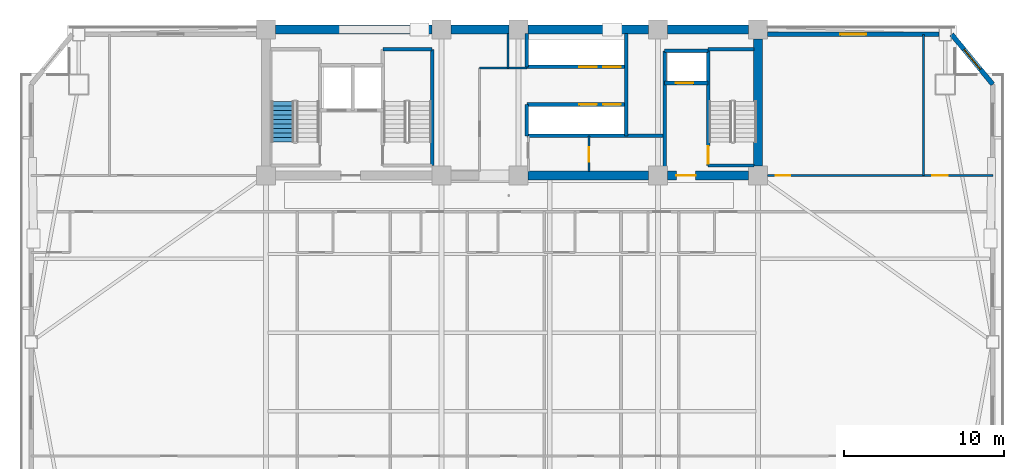
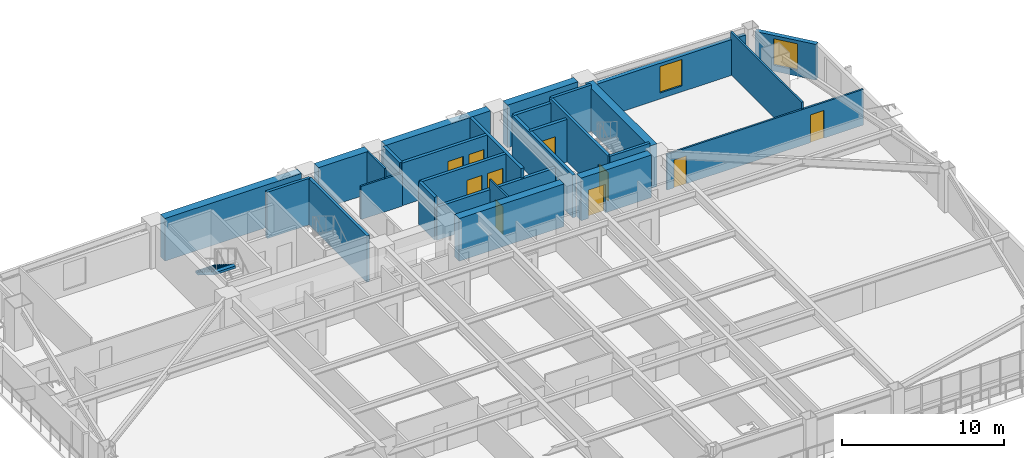
# One storey, part 10 of 17: 28 walls, 10 doors, 2 windows, 1 stair flight, 12 openings, 1 element without a shape of its own.
"""IFC4 building model written with IfcOpenShell, lengths in metres."""

from ifc_helpers import new_model, si_unit, direction, frame, frame_2d, origin, place, context, subcontext, project, spatial, polyline, rectangle, outline, extrude, source, transform, mapped, material, layer, layer_set, type_object, element, fill, aggregate, save


model = new_model("IFC4")

# Units and contexts
model_context = context("Model", 3, precision=1e-05, world=origin(), true_north=direction((0.0, 1.0)))
body_context = subcontext(model_context, "Body", "Model", "MODEL_VIEW")
ifc_project = project(units=[si_unit("LENGTHUNIT", "METRE"), si_unit("AREAUNIT", "SQUARE_METRE"), si_unit("VOLUMEUNIT", "CUBIC_METRE"), si_unit("PLANEANGLEUNIT", "RADIAN"), si_unit("MASSUNIT", "GRAM", prefix="KILO")], contexts=[model_context])

# Site, building, storey
site_placement = place(None, origin())
site = spatial("IfcSite", under=ifc_project, at=site_placement, CompositionType="ELEMENT")
building_placement = place(site_placement, origin())
building = spatial("IfcBuilding", under=site, at=building_placement, Name="Giltprow Tower", CompositionType="ELEMENT")
storey_placement = place(building_placement, frame((0.0, 0.0, 141.199951171875)))
storey = spatial("IfcBuildingStorey", under=building, at=storey_placement, Name="L34", CompositionType="ELEMENT", Elevation=141.199951171875)

# Wall, opening, window
ifc_material_1 = material(Name="Precast concrete C40", Category="concrete")
ifc_layer_1 = layer(ifc_material_1, 0.300048828125, Name="Precast concrete C40")
ifc_layer_set_1 = layer_set([ifc_layer_1], Name="Precast concrete C40")
wall_type_1 = type_object("IfcWallType", Name="EW-NOTCH-CHAMFER-300", PredefinedType="SOLIDWALL", material=ifc_layer_set_1)
wall_1_placement = place(storey_placement, frame((65.18603515625, 43.134033203125, 0.0), z_axis=(0.0, 0.0, 1.0), x_axis=(-0.63553760815, 0.772069911748, 0.0)))
wall_1 = element("IfcWall", 1, at=wall_1_placement, inside=storey, type_object=wall_type_1, Name="L34 Corner Notch Wall NE", PredefinedType="SOLIDWALL", context=body_context, shape_type="SweptSolid", body=[
    extrude(rectangle(XDim=4.035888671875, YDim=0.300048828125, at=frame_2d((2.01806640625, 0.0))), origin(), (0.0, 0.0, 1.0), 2.699951171875),
])
opening_1_placement = place(wall_1_placement, frame((1.218017578125, 0.0, 0.449951171875)))
opening_1 = element("IfcOpeningElement", 2, at=opening_1_placement, cuts=wall_1, Name="Opening WN17", PredefinedType="OPENING", context=body_context, shape_type="SweptSolid", body=[
    extrude(rectangle(XDim=1.60009765625, YDim=2.0, at=frame_2d((0.800048828125, 1.0))), frame((0.0, 0.159912109375, 0.0), z_axis=(0.0, -1.0, 0.0), x_axis=(1.0, 0.0, 0.0)), (0.0, 0.0, 1.0), 0.320068359375),
])
ifc_material_2 = material(Name="Insulated glass", Category="glass")
window_type = type_object("IfcWindowType", Name="WN-COR-1600x2000", PartitioningType="SINGLE_PANEL", PredefinedType="WINDOW", material=ifc_material_2)
shared_shape_1 = source(origin(), body_context, "Body", "SweptSolid", [
    extrude(rectangle(XDim=1.60009765625, YDim=2.0, at=frame_2d((0.800048828125, 1.0))), frame((0.0, 0.030029296875, 0.0), z_axis=(0.0, -1.0, 0.0), x_axis=(1.0, 0.0, 0.0)), (0.0, 0.0, 1.0), 0.06005859375),
])
window_1_placement = place(opening_1_placement, origin())
window_1 = element("IfcWindow", 3, at=window_1_placement, inside=storey, type_object=window_type, Name="L34 Corner Notch Window NE", OverallHeight=2.0, OverallWidth=1.60009765625, PartitioningType="SINGLE_PANEL", PredefinedType="WINDOW", context=body_context, shape_type="MappedRepresentation", body=[
    mapped(shared_shape_1, transform((0.0, 0.0, 0.0), x_axis=(1.0, 0.0, 0.0), y_axis=(0.0, 1.0, 0.0), z_axis=(0.0, 0.0, 1.0), scale=1.0)),
])
fill(opening_1, window_1)

ifc_layer_2 = layer(ifc_material_1, 0.280029296875, Name="Precast concrete C40")
ifc_layer_set_2 = layer_set([ifc_layer_2], Name="Precast concrete C40")
wall_type_2 = type_object("IfcWallType", Name="EW-TOW-BRONZE-280", PredefinedType="SOLIDWALL", material=ifc_layer_set_2)
wall_2_placement = place(storey_placement, frame((51.14990234375, 46.25, 0.0), z_axis=(0.0, 0.0, 1.0), x_axis=(1.0, 0.0, 0.0)))
wall_2 = element("IfcWall", 4, at=wall_2_placement, inside=storey, type_object=wall_type_2, Name="L34 North-East Wing Wall", PredefinedType="SOLIDWALL", context=body_context, shape_type="SweptSolid", body=[
    extrude(rectangle(XDim=10.671142578125, YDim=0.280029296875, at=frame_2d((5.33544921875, 0.0))), origin(), (0.0, 0.0, 1.0), 2.699951171875),
])
opening_2_placement = place(wall_2_placement, frame((4.534912109375, 0.0, 0.449951171875)))
opening_2 = element("IfcOpeningElement", 5, at=opening_2_placement, cuts=wall_2, Name="Opening WN17", PredefinedType="OPENING", context=body_context, shape_type="SweptSolid", body=[
    extrude(rectangle(XDim=1.60009765625, YDim=2.0, at=frame_2d((0.800048828125, 1.0))), frame((0.0, 0.14990234375, 0.0), z_axis=(0.0, -1.0, 0.0), x_axis=(1.0, 0.0, 0.0)), (0.0, 0.0, 1.0), 0.300048828125),
])
window_2_placement = place(opening_2_placement, origin())
window_2 = element("IfcWindow", 6, at=window_2_placement, inside=storey, type_object=window_type, Name="L34 North-East Window", OverallHeight=2.0, OverallWidth=1.60009765625, PartitioningType="SINGLE_PANEL", PredefinedType="WINDOW", context=body_context, shape_type="MappedRepresentation", body=[
    mapped(shared_shape_1, transform((0.0, 0.0, 0.0), x_axis=(1.0, 0.0, 0.0), y_axis=(0.0, 1.0, 0.0), z_axis=(0.0, 0.0, 1.0), scale=1.0)),
])
fill(opening_2, window_2)

# Wall, opening, door
ifc_material_3 = material(Name="Concrete C40", Category="concrete")
ifc_layer_3 = layer(ifc_material_3, 0.219970703125, Name="Concrete C40")
ifc_layer_set_3 = layer_set([ifc_layer_3], Name="Concrete C40")
wall_type_3 = type_object("IfcWallType", Name="IW-SHAFT-220", PredefinedType="SOLIDWALL", material=ifc_layer_set_3)
wall_3_placement = place(storey_placement, frame((44.719970703125, 43.219970703125, 0.0), z_axis=(0.0, 0.0, 1.0), x_axis=(1.0, 0.0, 0.0)))
wall_3 = element("IfcWall", 7, at=wall_3_placement, inside=storey, type_object=wall_type_3, Name="L34 FFL2 Front Shaft Wall", PredefinedType="SOLIDWALL", context=body_context, shape_type="SweptSolid", body=[
    extrude(rectangle(XDim=2.719970703125, YDim=0.219970703125, at=frame_2d((1.35986328125, 0.0))), origin(), (0.0, 0.0, 1.0), 3.219970703125),
])
opening_3_placement = place(wall_3_placement, frame((0.699951171875, 0.0, 0.0)))
opening_3 = element("IfcOpeningElement", 8, at=opening_3_placement, cuts=wall_3, Name="Opening LD-11", PredefinedType="OPENING", context=body_context, shape_type="SweptSolid", body=[
    extrude(rectangle(XDim=1.10009765625, YDim=2.199951171875, at=frame_2d((0.550048828125, 1.10009765625))), frame((0.0, 0.119873046875, 0.0), z_axis=(0.0, -1.0, 0.0), x_axis=(1.0, 0.0, 0.0)), (0.0, 0.0, 1.0), 0.239990234375),
])
ifc_material_4 = material(Name="Stainless steel", Category="steel")
door_type_1 = type_object("IfcDoorType", Name="DR-LIFT-LD1100", OperationType="SLIDING_TO_LEFT", PredefinedType="DOOR", material=ifc_material_4)
shared_shape_2 = source(origin(), body_context, "Body", "SweptSolid", [
    extrude(rectangle(XDim=1.10009765625, YDim=2.199951171875, at=frame_2d((0.550048828125, 1.10009765625))), frame((0.0, 0.02490234375, 0.0), z_axis=(0.0, -1.0, 0.0), x_axis=(1.0, 0.0, 0.0)), (0.0, 0.0, 1.0), 0.050048828125),
])
door_1_placement = place(opening_3_placement, origin())
door_1 = element("IfcDoor", 9, at=door_1_placement, inside=storey, type_object=door_type_1, Name="L34 FFL2 Landing Door", OperationType="SLIDING_TO_LEFT", OverallHeight=2.199951171875, OverallWidth=1.10009765625, PredefinedType="DOOR", context=body_context, shape_type="MappedRepresentation", body=[
    mapped(shared_shape_2, transform((0.0, 0.0, 0.0), x_axis=(1.0, 0.0, 0.0), y_axis=(0.0, 1.0, 0.0), z_axis=(0.0, 0.0, 1.0), scale=1.0)),
])
fill(opening_3, door_1)

# Walls
wall_4_placement = place(storey_placement, frame((44.719970703125, 45.219970703125, 0.0), z_axis=(0.0, 0.0, 1.0), x_axis=(1.0, 0.0, 0.0)))
element("IfcWall", 10, at=wall_4_placement, inside=storey, type_object=wall_type_3, Name="L34 FFL2 Back Shaft Wall", PredefinedType="SOLIDWALL", context=body_context, shape_type="SweptSolid", body=[
    extrude(rectangle(XDim=2.719970703125, YDim=0.219970703125, at=frame_2d((1.35986328125, 0.0))), origin(), (0.0, 0.0, 1.0), 3.219970703125),
])
wall_5_placement = place(storey_placement, frame((44.719970703125, 37.705078125, 0.0), z_axis=(0.0, 0.0, 1.0), x_axis=(0.0, 1.0, 0.0)))
element("IfcWall", 11, at=wall_5_placement, inside=storey, type_object=wall_type_3, Name="L34 East Firefighting Lobby West Wall", PredefinedType="SOLIDWALL", context=body_context, shape_type="SweptSolid", body=[
    extrude(rectangle(XDim=7.514892578125, YDim=0.219970703125, at=frame_2d((3.75732421875, 0.0))), origin(), (0.0, 0.0, 1.0), 3.219970703125),
])

# Wall, openings, doors
wall_6_placement = place(storey_placement, frame((36.1201171875, 44.219970703125, 0.0), z_axis=(0.0, 0.0, 1.0), x_axis=(1.0, 0.0, 0.0)))
wall_6 = element("IfcWall", 12, at=wall_6_placement, inside=storey, type_object=wall_type_3, Name="L34 Mid-Rise Lift Shaft Front Wall N", PredefinedType="SOLIDWALL", context=body_context, shape_type="SweptSolid", body=[
    extrude(rectangle(XDim=6.199951171875, YDim=0.219970703125, at=frame_2d((3.10009765625, 0.0))), origin(), (0.0, 0.0, 1.0), 3.219970703125),
])
opening_4_placement = place(wall_6_placement, frame((3.280029296875, 0.0, 0.0)))
opening_4 = element("IfcOpeningElement", 13, at=opening_4_placement, cuts=wall_6, Name="Opening LD-11", PredefinedType="OPENING", context=body_context, shape_type="SweptSolid", body=[
    extrude(rectangle(XDim=1.10009765625, YDim=2.199951171875, at=frame_2d((0.550048828125, 1.10009765625))), frame((0.0, 0.119873046875, 0.0), z_axis=(0.0, -1.0, 0.0), x_axis=(1.0, 0.0, 0.0)), (0.0, 0.0, 1.0), 0.239990234375),
])
opening_5_placement = place(wall_6_placement, frame((4.77001953125, 0.0, 0.0)))
opening_5 = element("IfcOpeningElement", 14, at=opening_5_placement, cuts=wall_6, Name="Opening LD-11", PredefinedType="OPENING", context=body_context, shape_type="SweptSolid", body=[
    extrude(rectangle(XDim=1.10009765625, YDim=2.199951171875, at=frame_2d((0.550048828125, 1.10009765625))), frame((0.0, 0.119873046875, 0.0), z_axis=(0.0, -1.0, 0.0), x_axis=(1.0, 0.0, 0.0)), (0.0, 0.0, 1.0), 0.239990234375),
])
door_2_placement = place(opening_4_placement, origin())
door_2 = element("IfcDoor", 15, at=door_2_placement, inside=storey, type_object=door_type_1, Name="L34 PL-M1 Landing Door", OperationType="SLIDING_TO_LEFT", OverallHeight=2.199951171875, OverallWidth=1.10009765625, PredefinedType="DOOR", context=body_context, shape_type="MappedRepresentation", body=[
    mapped(shared_shape_2, transform((0.0, 0.0, 0.0), x_axis=(1.0, 0.0, 0.0), y_axis=(0.0, 1.0, 0.0), z_axis=(0.0, 0.0, 1.0), scale=1.0)),
])
fill(opening_4, door_2)
door_3_placement = place(opening_5_placement, origin())
door_3 = element("IfcDoor", 16, at=door_3_placement, inside=storey, type_object=door_type_1, Name="L34 PL-M2 Landing Door", OperationType="SLIDING_TO_LEFT", OverallHeight=2.199951171875, OverallWidth=1.10009765625, PredefinedType="DOOR", context=body_context, shape_type="MappedRepresentation", body=[
    mapped(shared_shape_2, transform((0.0, 0.0, 0.0), x_axis=(1.0, 0.0, 0.0), y_axis=(0.0, 1.0, 0.0), z_axis=(0.0, 0.0, 1.0), scale=1.0)),
])
fill(opening_5, door_3)

wall_7_placement = place(storey_placement, frame((36.1201171875, 41.8798828125, 0.0), z_axis=(0.0, 0.0, 1.0), x_axis=(1.0, 0.0, 0.0)))
wall_7 = element("IfcWall", 17, at=wall_7_placement, inside=storey, type_object=wall_type_3, Name="L34 Mid-Rise Lift Shaft Front Wall S", PredefinedType="SOLIDWALL", context=body_context, shape_type="SweptSolid", body=[
    extrude(rectangle(XDim=6.199951171875, YDim=0.219970703125, at=frame_2d((3.10009765625, 0.0))), origin(), (0.0, 0.0, 1.0), 3.219970703125),
])
opening_6_placement = place(wall_7_placement, frame((3.280029296875, 0.0, 0.0)))
opening_6 = element("IfcOpeningElement", 18, at=opening_6_placement, cuts=wall_7, Name="Opening LD-11", PredefinedType="OPENING", context=body_context, shape_type="SweptSolid", body=[
    extrude(rectangle(XDim=1.10009765625, YDim=2.199951171875, at=frame_2d((0.550048828125, 1.10009765625))), frame((0.0, 0.119873046875, 0.0), z_axis=(0.0, -1.0, 0.0), x_axis=(1.0, 0.0, 0.0)), (0.0, 0.0, 1.0), 0.239990234375),
])
opening_7_placement = place(wall_7_placement, frame((4.77001953125, 0.0, 0.0)))
opening_7 = element("IfcOpeningElement", 19, at=opening_7_placement, cuts=wall_7, Name="Opening LD-11", PredefinedType="OPENING", context=body_context, shape_type="SweptSolid", body=[
    extrude(rectangle(XDim=1.10009765625, YDim=2.199951171875, at=frame_2d((0.550048828125, 1.10009765625))), frame((0.0, 0.119873046875, 0.0), z_axis=(0.0, -1.0, 0.0), x_axis=(1.0, 0.0, 0.0)), (0.0, 0.0, 1.0), 0.239990234375),
])
door_4_placement = place(opening_6_placement, origin())
door_4 = element("IfcDoor", 20, at=door_4_placement, inside=storey, type_object=door_type_1, Name="L34 PL-M3 Landing Door", OperationType="SLIDING_TO_LEFT", OverallHeight=2.199951171875, OverallWidth=1.10009765625, PredefinedType="DOOR", context=body_context, shape_type="MappedRepresentation", body=[
    mapped(shared_shape_2, transform((0.0, 0.0, 0.0), x_axis=(1.0, 0.0, 0.0), y_axis=(0.0, 1.0, 0.0), z_axis=(0.0, 0.0, 1.0), scale=1.0)),
])
fill(opening_6, door_4)
door_5_placement = place(opening_7_placement, origin())
door_5 = element("IfcDoor", 21, at=door_5_placement, inside=storey, type_object=door_type_1, Name="L34 PL-M4 Landing Door", OperationType="SLIDING_TO_LEFT", OverallHeight=2.199951171875, OverallWidth=1.10009765625, PredefinedType="DOOR", context=body_context, shape_type="MappedRepresentation", body=[
    mapped(shared_shape_2, transform((0.0, 0.0, 0.0), x_axis=(1.0, 0.0, 0.0), y_axis=(0.0, 1.0, 0.0), z_axis=(0.0, 0.0, 1.0), scale=1.0)),
])
fill(opening_7, door_5)

# Walls
wall_8_placement = place(storey_placement, frame((36.1201171875, 39.919921875, 0.0), z_axis=(0.0, 0.0, 1.0), x_axis=(1.0, 0.0, 0.0)))
element("IfcWall", 22, at=wall_8_placement, inside=storey, type_object=wall_type_3, Name="L34 Mid-Rise South Lift Back Wall", PredefinedType="SOLIDWALL", context=body_context, shape_type="SweptSolid", body=[
    extrude(rectangle(XDim=8.599853515625, YDim=0.219970703125, at=frame_2d((4.2998046875, 0.0))), origin(), (0.0, 0.0, 1.0), 2.505126953125),
])
wall_9_placement = place(storey_placement, frame((42.320068359375, 39.919921875, 0.0), z_axis=(0.0, 0.0, 1.0), x_axis=(0.0, 1.0, 0.0)))
element("IfcWall", 23, at=wall_9_placement, inside=storey, type_object=wall_type_3, Name="L34 Mid-Rise Lift Bank East Closure", PredefinedType="SOLIDWALL", context=body_context, shape_type="SweptSolid", body=[
    extrude(rectangle(XDim=6.375, YDim=0.219970703125, at=frame_2d((3.1875, 0.0))), origin(), (0.0, 0.0, 1.0), 3.219970703125),
])
wall_10_placement = place(storey_placement, frame((36.1201171875, 39.919921875, 0.0), z_axis=(0.0, 0.0, 1.0), x_axis=(0.0, 1.0, 0.0)))
element("IfcWall", 24, at=wall_10_placement, inside=storey, type_object=wall_type_3, Name="L34 Mid-Rise South Lift West Closure", PredefinedType="SOLIDWALL", context=body_context, shape_type="SweptSolid", body=[
    extrude(rectangle(XDim=1.9599609375, YDim=0.219970703125, at=frame_2d((0.97998046875, 0.0))), origin(), (0.0, 0.0, 1.0), 3.219970703125),
])
wall_11_placement = place(storey_placement, frame((36.1201171875, 44.219970703125, 0.0), z_axis=(0.0, 0.0, 1.0), x_axis=(0.0, 1.0, 0.0)))
element("IfcWall", 25, at=wall_11_placement, inside=storey, type_object=wall_type_3, Name="L34 Mid-Rise North Lift West Closure", PredefinedType="SOLIDWALL", context=body_context, shape_type="SweptSolid", body=[
    extrude(rectangle(XDim=2.074951171875, YDim=0.219970703125, at=frame_2d((1.03759765625, 0.0))), origin(), (0.0, 0.0, 1.0), 3.219970703125),
])
ifc_layer_4 = layer(ifc_material_3, 0.199951171875, Name="Concrete C40")
ifc_layer_set_4 = layer_set([ifc_layer_4], Name="Concrete C40")
wall_type_4 = type_object("IfcWallType", Name="IW-STAIR-200", PredefinedType="SOLIDWALL", material=ifc_layer_set_4)
wall_12_placement = place(storey_placement, frame((30.219970703125, 38.070068359375, 0.0), z_axis=(0.0, 0.0, 1.0), x_axis=(0.0, 1.0, 0.0)))
element("IfcWall", 26, at=wall_12_placement, inside=storey, type_object=wall_type_4, Name="L34 Stair ST-2 East Bearing Wall", PredefinedType="SOLIDWALL", context=body_context, shape_type="SweptSolid", body=[
    extrude(rectangle(XDim=7.25, YDim=0.199951171875, at=frame_2d((3.625, 0.0))), origin(), (0.0, 0.0, 1.0), 3.5),
])
wall_13_placement = place(storey_placement, frame((27.139892578125, 45.320068359375, 0.0), z_axis=(0.0, 0.0, 1.0), x_axis=(1.0, 0.0, 0.0)))
element("IfcWall", 27, at=wall_13_placement, inside=storey, type_object=wall_type_4, Name="L34 Stair ST-2 North Bearing Wall", PredefinedType="SOLIDWALL", context=body_context, shape_type="SweptSolid", body=[
    extrude(rectangle(XDim=3.080078125, YDim=0.199951171875, at=frame_2d((1.5400390625, 0.0))), origin(), (0.0, 0.0, 1.0), 3.5),
])

# Wall, opening, door
wall_14_placement = place(storey_placement, frame((47.43994140625, 38.070068359375, 0.0), z_axis=(0.0, 0.0, 1.0), x_axis=(0.0, 1.0, 0.0)))
wall_14 = element("IfcWall", 28, at=wall_14_placement, inside=storey, type_object=wall_type_4, Name="L34 Stair ST-3 West Bearing Wall", PredefinedType="SOLIDWALL", context=body_context, shape_type="SweptSolid", body=[
    extrude(rectangle(XDim=7.25, YDim=0.199951171875, at=frame_2d((3.625, 0.0))), origin(), (0.0, 0.0, 1.0), 3.5),
])
opening_8_placement = place(wall_14_placement, frame((0.110107421875, 0.0, 0.0)))
opening_8 = element("IfcOpeningElement", 29, at=opening_8_placement, cuts=wall_14, Name="Opening ID33", PredefinedType="OPENING", context=body_context, shape_type="SweptSolid", body=[
    extrude(rectangle(XDim=1.10009765625, YDim=2.14990234375, at=frame_2d((0.550048828125, 1.074951171875))), frame((0.0, 0.10986328125, 0.0), z_axis=(0.0, -1.0, 0.0), x_axis=(1.0, 0.0, 0.0)), (0.0, 0.0, 1.0), 0.219970703125),
])
ifc_material_5 = material(Name="Steel fire leaf", Category="steel")
door_type_2 = type_object("IfcDoorType", Name="DR-STAIR-1100", OperationType="SINGLE_SWING_LEFT", PredefinedType="DOOR", material=ifc_material_5)
shared_shape_3 = source(origin(), body_context, "Body", "SweptSolid", [
    extrude(rectangle(XDim=1.10009765625, YDim=2.14990234375, at=frame_2d((0.550048828125, 1.074951171875))), frame((0.0, 0.02490234375, 0.0), z_axis=(0.0, -1.0, 0.0), x_axis=(1.0, 0.0, 0.0)), (0.0, 0.0, 1.0), 0.050048828125),
])
door_6_placement = place(opening_8_placement, origin())
door_6 = element("IfcDoor", 30, at=door_6_placement, inside=storey, type_object=door_type_2, Name="L34 Stair ST-3 Fire Door", OperationType="SINGLE_SWING_LEFT", OverallHeight=2.14990234375, OverallWidth=1.10009765625, PredefinedType="DOOR", context=body_context, shape_type="MappedRepresentation", body=[
    mapped(shared_shape_3, transform((0.0, 0.0, 0.0), x_axis=(1.0, 0.0, 0.0), y_axis=(0.0, 1.0, 0.0), z_axis=(0.0, 0.0, 1.0), scale=1.0)),
])
fill(opening_8, door_6)

# Walls
for number, where, z_axis, x_axis, name in (
    (31, (47.43994140625, 45.320068359375, 0.0), (0.0, 0.0, 1.0), (1.0, 0.0, 0.0), "L34 Stair ST-3 North Bearing Wall"),
    (32, (47.43994140625, 38.070068359375, 0.0), (0.0, 0.0, 1.0), (1.0, 0.0, 0.0), "L34 Stair ST-3 South Bearing Wall"),
):
    element("IfcWall", number, at=place(storey_placement, frame(where, z_axis=z_axis, x_axis=x_axis)), inside=storey, type_object=wall_type_4, Name=name, PredefinedType="SOLIDWALL", context=body_context, shape_type="SweptSolid", body=[
        extrude(rectangle(XDim=2.85498046875, YDim=0.199951171875, at=frame_2d((1.427490234375, 0.0))), origin(), (0.0, 0.0, 1.0), 3.5),
    ])
ifc_material_6 = material(Name="Concrete C30", Category="concrete")
ifc_layer_5 = layer(ifc_material_6, 0.1298828125, Name="Concrete C30")
ifc_layer_set_5 = layer_set([ifc_layer_5], Name="Concrete C30")
wall_type_5 = type_object("IfcWallType", Name="IW-WET-130", PredefinedType="PARTITIONING", material=ifc_layer_set_5)
wall_15_placement = place(storey_placement, frame((34.949951171875, 44.14990234375, 0.0), z_axis=(0.0, 0.0, 1.0), x_axis=(0.0, 1.0, 0.0)))
element("IfcWall", 33, at=wall_15_placement, inside=storey, type_object=wall_type_5, Name="L34 Reclaimed North Pocket East Wall", PredefinedType="PARTITIONING", context=body_context, shape_type="SweptSolid", body=[
    extrude(rectangle(XDim=2.14501953125, YDim=0.1298828125, at=frame_2d((1.072509765625, 0.0))), origin(), (0.0, 0.0, 1.0), 3.219970703125),
])
wall_16_placement = place(storey_placement, frame((33.179931640625, 44.14990234375, 0.0), z_axis=(0.0, 0.0, 1.0), x_axis=(1.0, 0.0, 0.0)))
element("IfcWall", 34, at=wall_16_placement, inside=storey, type_object=wall_type_5, Name="L34 Reclaimed North Pocket South Wall", PredefinedType="PARTITIONING", context=body_context, shape_type="SweptSolid", body=[
    extrude(rectangle(XDim=2.969970703125, YDim=0.1298828125, at=frame_2d((1.48486328125, 0.0))), origin(), (0.0, 0.0, 1.0), 2.505126953125),
])

# Wall, opening, door
wall_17_placement = place(storey_placement, frame((40.0, 37.705078125, 0.0), z_axis=(0.0, 0.0, 1.0), x_axis=(0.0, 1.0, 0.0)))
wall_17 = element("IfcWall", 35, at=wall_17_placement, inside=storey, type_object=wall_type_5, Name="L34 Core Valet Split", PredefinedType="PARTITIONING", context=body_context, shape_type="SweptSolid", body=[
    extrude(rectangle(XDim=2.21484375, YDim=0.1298828125, at=frame_2d((1.107421875, 0.0))), origin(), (0.0, 0.0, 1.0), 3.219970703125),
])
opening_9_placement = place(wall_17_placement, frame((0.614990234375, 0.0, 0.0)))
opening_9 = element("IfcOpeningElement", 36, at=opening_9_placement, cuts=wall_17, Name="Opening ID35", PredefinedType="OPENING", context=body_context, shape_type="SweptSolid", body=[
    extrude(rectangle(XDim=0.89990234375, YDim=2.10009765625, at=frame_2d((0.449951171875, 1.050048828125))), frame((0.0, 0.074951171875, 0.0), z_axis=(0.0, -1.0, 0.0), x_axis=(1.0, 0.0, 0.0)), (0.0, 0.0, 1.0), 0.14990234375),
])
door_type_3 = type_object("IfcDoorType", Name="DR-SHAFT-900", OperationType="SINGLE_SWING_LEFT", PredefinedType="DOOR", material=ifc_material_5)
shared_shape_4 = source(origin(), body_context, "Body", "SweptSolid", [
    extrude(rectangle(XDim=0.89990234375, YDim=2.10009765625, at=frame_2d((0.449951171875, 1.050048828125))), frame((0.0, 0.02490234375, 0.0), z_axis=(0.0, -1.0, 0.0), x_axis=(1.0, 0.0, 0.0)), (0.0, 0.0, 1.0), 0.050048828125),
])
door_7_placement = place(opening_9_placement, origin())
door_7 = element("IfcDoor", 37, at=door_7_placement, inside=storey, type_object=door_type_3, Name="L34 Core Minibar Pantry Door", OperationType="SINGLE_SWING_RIGHT", OverallHeight=2.10009765625, OverallWidth=0.89990234375, PredefinedType="DOOR", context=body_context, shape_type="MappedRepresentation", body=[
    mapped(shared_shape_4, transform((0.0, 0.0, 0.0), x_axis=(1.0, 0.0, 0.0), y_axis=(0.0, 1.0, 0.0), z_axis=(0.0, 0.0, 1.0), scale=1.0)),
])
fill(opening_9, door_7)

# Wall, openings, doors
wall_18_placement = place(storey_placement, frame((51.14990234375, 37.449951171875, 0.0), z_axis=(0.0, 0.0, 1.0), x_axis=(1.0, 0.0, 0.0)))
wall_18 = element("IfcWall", 38, at=wall_18_placement, inside=storey, type_object=wall_type_5, Name="L34 NE Wing South Wall", PredefinedType="PARTITIONING", context=body_context, shape_type="SweptSolid", body=[
    extrude(rectangle(XDim=14.0361328125, YDim=0.1298828125, at=frame_2d((7.01806640625, 0.0))), origin(), (0.0, 0.0, 1.0), 2.705078125),
])
opening_10_placement = place(wall_18_placement, frame((0.5, 0.0, 0.0)))
opening_10 = element("IfcOpeningElement", 39, at=opening_10_placement, cuts=wall_18, Name="Opening ID15", PredefinedType="OPENING", context=body_context, shape_type="SweptSolid", body=[
    extrude(rectangle(XDim=0.89990234375, YDim=2.10009765625, at=frame_2d((0.449951171875, 1.050048828125))), frame((0.0, 0.074951171875, 0.0), z_axis=(0.0, -1.0, 0.0), x_axis=(1.0, 0.0, 0.0)), (0.0, 0.0, 1.0), 0.14990234375),
])
opening_11_placement = place(wall_18_placement, frame((10.264892578125, 0.0, 0.0)))
opening_11 = element("IfcOpeningElement", 40, at=opening_11_placement, cuts=wall_18, Name="Opening ID11", PredefinedType="OPENING", context=body_context, shape_type="SweptSolid", body=[
    extrude(rectangle(XDim=0.949951171875, YDim=2.10009765625, at=frame_2d((0.47509765625, 1.050048828125))), frame((0.0, 0.074951171875, 0.0), z_axis=(0.0, -1.0, 0.0), x_axis=(1.0, 0.0, 0.0)), (0.0, 0.0, 1.0), 0.14990234375),
])
ifc_material_7 = material(Name="Engineered timber", Category="wood")
door_type_4 = type_object("IfcDoorType", Name="DR-WC-900", OperationType="SINGLE_SWING_LEFT", PredefinedType="DOOR", material=ifc_material_7)
door_8_placement = place(opening_10_placement, origin())
door_8 = element("IfcDoor", 41, at=door_8_placement, inside=storey, type_object=door_type_4, Name="L34 East Wing Washroom Door", OperationType="SINGLE_SWING_RIGHT", OverallHeight=2.10009765625, OverallWidth=0.89990234375, PredefinedType="DOOR", context=body_context, shape_type="MappedRepresentation", body=[
    mapped(shared_shape_4, transform((0.0, 0.0, 0.0), x_axis=(1.0, 0.0, 0.0), y_axis=(0.0, 1.0, 0.0), z_axis=(0.0, 0.0, 1.0), scale=1.0)),
])
fill(opening_10, door_8)
door_type_5 = type_object("IfcDoorType", Name="DR-ROOM-950", OperationType="SINGLE_SWING_RIGHT", PredefinedType="DOOR", material=ifc_material_7)
shared_shape_5 = source(origin(), body_context, "Body", "SweptSolid", [
    extrude(rectangle(XDim=0.949951171875, YDim=2.10009765625, at=frame_2d((0.47509765625, 1.050048828125))), frame((0.0, 0.02490234375, 0.0), z_axis=(0.0, -1.0, 0.0), x_axis=(1.0, 0.0, 0.0)), (0.0, 0.0, 1.0), 0.050048828125),
])
door_9_placement = place(opening_11_placement, origin())
door_9 = element("IfcDoor", 42, at=door_9_placement, inside=storey, type_object=door_type_5, Name="L34 Hotel Floor Linen Store Door", OperationType="SINGLE_SWING_LEFT", OverallHeight=2.10009765625, OverallWidth=0.949951171875, PredefinedType="DOOR", context=body_context, shape_type="MappedRepresentation", body=[
    mapped(shared_shape_5, transform((0.0, 0.0, 0.0), x_axis=(1.0, 0.0, 0.0), y_axis=(0.0, 1.0, 0.0), z_axis=(0.0, 0.0, 1.0), scale=1.0)),
])
fill(opening_11, door_9)

# Walls
wall_19_placement = place(storey_placement, frame((60.864990234375, 37.449951171875, 0.0), z_axis=(0.0, 0.0, 1.0), x_axis=(0.0, 1.0, 0.0)))
element("IfcWall", 43, at=wall_19_placement, inside=storey, type_object=wall_type_5, Name="L34 NE Wing Divider", PredefinedType="PARTITIONING", context=body_context, shape_type="SweptSolid", body=[
    extrude(rectangle(XDim=8.800048828125, YDim=0.1298828125, at=frame_2d((4.39990234375, 0.0))), origin(), (0.0, 0.0, 1.0), 3.219970703125),
])
ifc_material_8 = material(Name="Concrete C60", Category="concrete")
ifc_layer_6 = layer(ifc_material_8, 0.550048828125, Name="Concrete C60")
ifc_layer_set_6 = layer_set([ifc_layer_6], Name="Concrete C60")
wall_type_6 = type_object("IfcWallType", Name="SW-EXT-550-C60", PredefinedType="SHEAR", material=ifc_layer_set_6)
wall_20_placement = place(storey_placement, frame((20.449951171875, 46.550048828125, 0.0), z_axis=(0.0, 0.0, 1.0), x_axis=(1.0, 0.0, 0.0)))
element("IfcWall", 44, at=wall_20_placement, inside=storey, type_object=wall_type_6, Name="L34 North Rear Core Shear Wall 1", PredefinedType="SHEAR", context=body_context, shape_type="SweptSolid", body=[
    extrude(rectangle(XDim=9.75, YDim=0.550048828125, at=frame_2d((4.875, 0.0))), origin(), (0.0, 0.0, 1.0), 3.219970703125),
])
wall_21_placement = place(storey_placement, frame((31.39990234375, 46.550048828125, 0.0), z_axis=(0.0, 0.0, 1.0), x_axis=(1.0, 0.0, 0.0)))
element("IfcWall", 45, at=wall_21_placement, inside=storey, type_object=wall_type_6, Name="L34 North Rear Core Shear Wall 2", PredefinedType="SHEAR", context=body_context, shape_type="SweptSolid", body=[
    extrude(rectangle(XDim=3.60009765625, YDim=0.550048828125, at=frame_2d((1.800048828125, 0.0))), origin(), (0.0, 0.0, 1.0), 3.219970703125),
])
wall_22_placement = place(storey_placement, frame((36.199951171875, 46.550048828125, 0.0), z_axis=(0.0, 0.0, 1.0), x_axis=(1.0, 0.0, 0.0)))
element("IfcWall", 46, at=wall_22_placement, inside=storey, type_object=wall_type_6, Name="L34 North Rear Core Shear Wall 3", PredefinedType="SHEAR", context=body_context, shape_type="SweptSolid", body=[
    extrude(rectangle(XDim=7.5, YDim=0.550048828125, at=frame_2d((3.75, 0.0))), origin(), (0.0, 0.0, 1.0), 3.219970703125),
])
wall_23_placement = place(storey_placement, frame((44.89990234375, 46.550048828125, 0.0), z_axis=(0.0, 0.0, 1.0), x_axis=(1.0, 0.0, 0.0)))
element("IfcWall", 47, at=wall_23_placement, inside=storey, type_object=wall_type_6, Name="L34 North Rear Core Shear Wall 4", PredefinedType="SHEAR", context=body_context, shape_type="SweptSolid", body=[
    extrude(rectangle(XDim=5.050048828125, YDim=0.550048828125, at=frame_2d((2.52490234375, 0.0))), origin(), (0.0, 0.0, 1.0), 3.219970703125),
])
ifc_layer_7 = layer(ifc_material_8, 0.550048828125, Name="Concrete C60")
ifc_layer_set_7 = layer_set([ifc_layer_7], Name="Concrete C60")
wall_type_7 = type_object("IfcWallType", Name="SW-INT-550-C60", PredefinedType="SHEAR", material=ifc_layer_set_7)
wall_24_placement = place(storey_placement, frame((36.199951171875, 37.449951171875, 0.0), z_axis=(0.0, 0.0, 1.0), x_axis=(1.0, 0.0, 0.0)))
element("IfcWall", 48, at=wall_24_placement, inside=storey, type_object=wall_type_7, Name="L34 South Rear Core Shear Wall Mid-East", PredefinedType="SHEAR", context=body_context, shape_type="SweptSolid", body=[
    extrude(rectangle(XDim=7.5, YDim=0.550048828125, at=frame_2d((3.75, 0.0))), origin(), (0.0, 0.0, 1.0), 3.219970703125),
])

# Wall, opening, door
wall_25_placement = place(storey_placement, frame((44.89990234375, 37.449951171875, 0.0), z_axis=(0.0, 0.0, 1.0), x_axis=(1.0, 0.0, 0.0)))
wall_25 = element("IfcWall", 49, at=wall_25_placement, inside=storey, type_object=wall_type_7, Name="L34 South Rear Core Shear Wall East", PredefinedType="SHEAR", context=body_context, shape_type="SweptSolid", body=[
    extrude(rectangle(XDim=5.050048828125, YDim=0.550048828125, at=frame_2d((2.52490234375, 0.0))), origin(), (0.0, 0.0, 1.0), 3.219970703125),
])
opening_12_placement = place(wall_25_placement, frame((0.550048828125, 0.0, 0.0)))
opening_12 = element("IfcOpeningElement", 50, at=opening_12_placement, cuts=wall_25, Name="Opening ID19", PredefinedType="OPENING", context=body_context, shape_type="SweptSolid", body=[
    extrude(rectangle(XDim=1.199951171875, YDim=2.14990234375, at=frame_2d((0.60009765625, 1.074951171875))), frame((0.0, 0.284912109375, 0.0), z_axis=(0.0, -1.0, 0.0), x_axis=(1.0, 0.0, 0.0)), (0.0, 0.0, 1.0), 0.570068359375),
])
door_type_6 = type_object("IfcDoorType", Name="DR-FFLOBBY-1200", OperationType="SINGLE_SWING_RIGHT", PredefinedType="DOOR", material=ifc_material_5)
shared_shape_6 = source(origin(), body_context, "Body", "SweptSolid", [
    extrude(rectangle(XDim=1.199951171875, YDim=2.14990234375, at=frame_2d((0.60009765625, 1.074951171875))), frame((0.0, 0.02490234375, 0.0), z_axis=(0.0, -1.0, 0.0), x_axis=(1.0, 0.0, 0.0)), (0.0, 0.0, 1.0), 0.050048828125),
])
door_10_placement = place(opening_12_placement, origin())
door_10 = element("IfcDoor", 51, at=door_10_placement, inside=storey, type_object=door_type_6, Name="L34 East Firefighting Lobby Entry Door", OperationType="SINGLE_SWING_RIGHT", OverallHeight=2.14990234375, OverallWidth=1.199951171875, PredefinedType="DOOR", context=body_context, shape_type="MappedRepresentation", body=[
    mapped(shared_shape_6, transform((0.0, 0.0, 0.0), x_axis=(1.0, 0.0, 0.0), y_axis=(0.0, 1.0, 0.0), z_axis=(0.0, 0.0, 1.0), scale=1.0)),
])
fill(opening_12, door_10)

# Wall
wall_26_placement = place(storey_placement, frame((50.550048828125, 38.050048828125, 0.0), z_axis=(0.0, 0.0, 1.0), x_axis=(0.0, 1.0, 0.0)))
element("IfcWall", 52, at=wall_26_placement, inside=storey, type_object=wall_type_7, Name="L34 E Rear Core Shear Wall", PredefinedType="SHEAR", context=body_context, shape_type="SweptSolid", body=[
    extrude(rectangle(XDim=7.89990234375, YDim=0.550048828125, at=frame_2d((3.949951171875, 0.0))), origin(), (0.0, 0.0, 1.0), 3.219970703125),
])

# Stair, stair flight
stair_type = type_object("IfcStairType", Name="STR-ST-1", PredefinedType="HALF_TURN_STAIR", material=ifc_material_3)
stair_placement = place(storey_placement, origin())
stair = element("IfcStair", 53, at=stair_placement, inside=storey, type_object=stair_type, Name="L34 Core Exit Stair ST-1", PredefinedType="HALF_TURN_STAIR")
stair_flight_type = type_object("IfcStairFlightType", Name="SFL-ST-1", PredefinedType="STRAIGHT", material=ifc_material_3)
stair_flight_placement = place(storey_placement, frame((20.89990234375, 42.070068359375, 1.75), z_axis=(0.0, 0.0, 1.0), x_axis=(0.0, -1.0, 0.0)))
stair_flight = element("IfcStairFlight", 54, at=stair_flight_placement, type_object=stair_flight_type, Name="ST-1 flight 2", NumberOfRisers=10, NumberOfTreads=9, PredefinedType="STRAIGHT", RiserHeight=0.175, TreadLength=0.28, context=body_context, shape_type="SweptSolid", body=[
    extrude(outline(polyline([(0.0, 0.0), (0.0, 0.175048828125), (0.280029296875, 0.175048828125), (0.280029296875, 0.35009765625), (0.56005859375, 0.35009765625), (0.56005859375, 0.52490234375), (0.840087890625, 0.52490234375), (0.840087890625, 0.699951171875), (1.1201171875, 0.699951171875), (1.1201171875, 0.875), (1.39990234375, 0.875), (1.39990234375, 1.050048828125), (1.679931640625, 1.050048828125), (1.679931640625, 1.22509765625), (1.9599609375, 1.22509765625), (1.9599609375, 1.39990234375), (2.239990234375, 1.39990234375), (2.239990234375, 1.574951171875), (2.52001953125, 1.574951171875), (2.52001953125, 1.75), (2.52001953125, 1.398193359375), (0.28271484375, 0.0), (0.0, 0.0)])), frame((0.0, 0.699951171875, 0.0), z_axis=(0.0, -1.0, 0.0), x_axis=(1.0, 0.0, 0.0)), (0.0, 0.0, 1.0), 1.39990234375),
])
aggregate(stair, [stair_flight])

save(model, "model.ifc")
